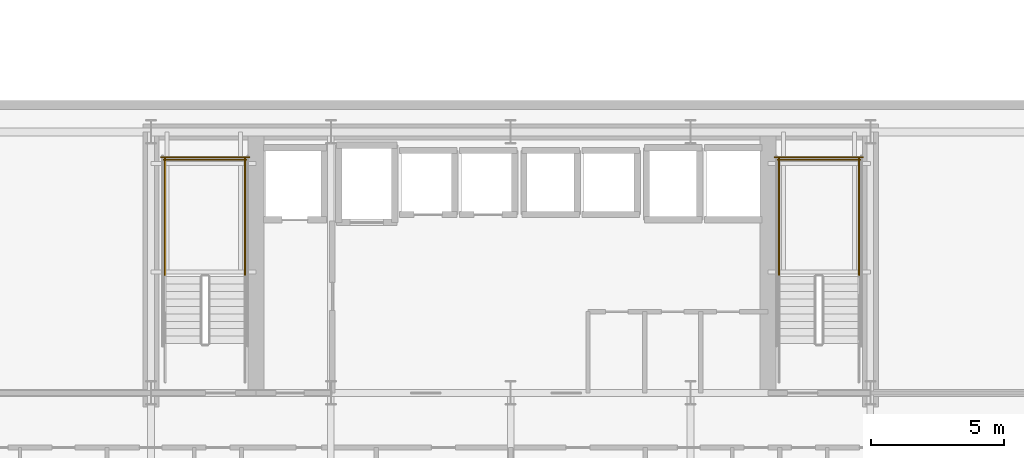
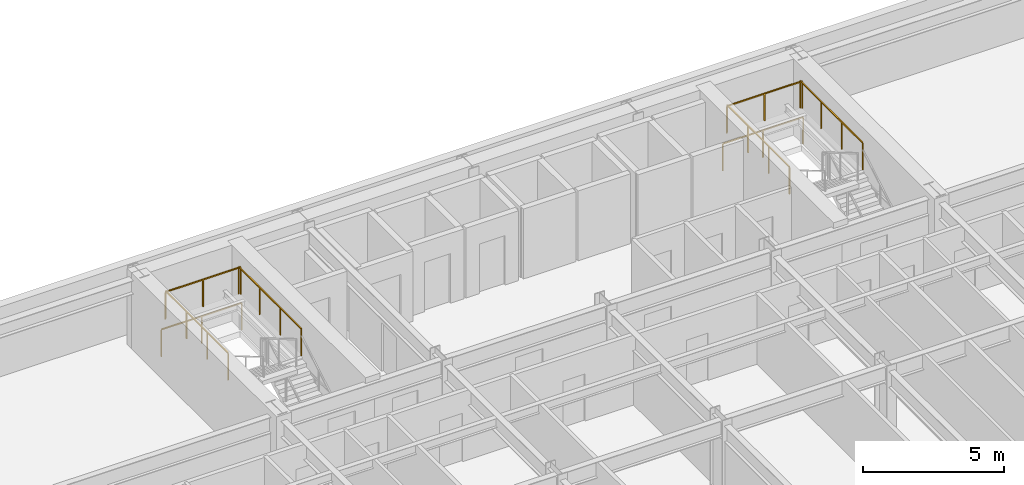
# One storey, part 14 of 17: 8 railings.
"""IFC4 building model written with IfcOpenShell, lengths in metres."""

from ifc_helpers import new_model, si_unit, direction, frame, origin, origin_2d, place, context, subcontext, project, spatial, rectangle, extrude, material, type_object, element, save


model = new_model("IFC4")

# Units and contexts
model_context = context("Model", 3, precision=1e-05, world=origin(), true_north=direction((0.0, 1.0)))
body_context = subcontext(model_context, "Body", "Model", "MODEL_VIEW")
ifc_project = project(units=[si_unit("LENGTHUNIT", "METRE"), si_unit("AREAUNIT", "SQUARE_METRE"), si_unit("VOLUMEUNIT", "CUBIC_METRE"), si_unit("PLANEANGLEUNIT", "RADIAN"), si_unit("MASSUNIT", "GRAM", prefix="KILO")], contexts=[model_context])

# Site, building, storey
site_placement = place(None, origin())
site = spatial("IfcSite", under=ifc_project, at=site_placement, CompositionType="ELEMENT")
building_placement = place(site_placement, origin())
building = spatial("IfcBuilding", under=site, at=building_placement, Name="Haevon Station Towers", CompositionType="ELEMENT")
storey_placement = place(building_placement, frame((0.0, 0.0, 33.89990234375)))
storey = spatial("IfcBuildingStorey", under=building, at=storey_placement, Name="L07", CompositionType="ELEMENT", Elevation=33.89990234375)

# Railings
ifc_material = material(Name="Steel S355", Category="steel")
railing_type = type_object("IfcRailingType", Name="GRD-STR1200", PredefinedType="GUARDRAIL", material=ifc_material)
for number, where, name in (
    (1, (27.530029296875, 42.570068359375, 1.650146484375), "L07 ST1 Stair Guard 3"),
    (2, (24.530029296875, 42.570068359375, 1.650146484375), "L07 ST1 Stair Guard 4"),
):
    element("IfcRailing", number, at=place(storey_placement, frame(where)), inside=storey, type_object=railing_type, Name=name, PredefinedType="GUARDRAIL", context=body_context, shape_type="SweptSolid", body=[
        extrude(rectangle(XDim=0.048095703125, YDim=0.048095703125, at=origin_2d()), frame((0.0, 0.0, 1.17578125), z_axis=(0.0, 1.0, 0.0), x_axis=(-1.0, 0.0, 0.0)), (0.0, 0.0, 1.0), 4.429931640625),
        extrude(rectangle(XDim=0.0419921875, YDim=0.0419921875, at=origin_2d()), origin(), (0.0, 0.0, 1.0), 1.15185546875),
        extrude(rectangle(XDim=0.0419921875, YDim=0.0419921875, at=origin_2d()), frame((0.0, 1.4765625, 0.0)), (0.0, 0.0, 1.0), 1.15185546875),
        extrude(rectangle(XDim=0.0419921875, YDim=0.0419921875, at=origin_2d()), frame((0.0, 2.953369140625, 0.0)), (0.0, 0.0, 1.0), 1.15185546875),
        extrude(rectangle(XDim=0.0419921875, YDim=0.0419921875, at=origin_2d()), frame((0.0, 4.429931640625, 0.0)), (0.0, 0.0, 1.0), 1.15185546875),
    ])
railing_1_placement = place(storey_placement, frame((27.580078125, 46.949951171875, 1.650146484375)))
element("IfcRailing", 3, at=railing_1_placement, inside=storey, type_object=railing_type, Name="L07 ST1 Stair Guard 5", PredefinedType="GUARDRAIL", context=body_context, shape_type="SweptSolid", body=[
    extrude(rectangle(XDim=0.048095703125, YDim=0.048095703125, at=origin_2d()), frame((0.0, 0.0, 1.17578125), z_axis=(-1.0, 0.0, 0.0), x_axis=(0.0, -1.0, 0.0)), (0.0, 0.0, 1.0), 3.10009765625),
    extrude(rectangle(XDim=0.0419921875, YDim=0.0419921875, at=origin_2d()), origin(), (0.0, 0.0, 1.0), 1.15185546875),
    extrude(rectangle(XDim=0.0419921875, YDim=0.0419921875, at=origin_2d()), frame((-1.550048828125, 0.0, 0.0)), (0.0, 0.0, 1.0), 1.15185546875),
    extrude(rectangle(XDim=0.0419921875, YDim=0.0419921875, at=origin_2d()), frame((-3.10009765625, 0.0, 0.0)), (0.0, 0.0, 1.0), 1.15185546875),
])
railing_2_placement = place(storey_placement, frame((27.679931640625, 47.050048828125, 0.0)))
element("IfcRailing", 4, at=railing_2_placement, inside=storey, type_object=railing_type, Name="L07 ST1 Stair Guard 12", PredefinedType="GUARDRAIL", context=body_context, shape_type="SweptSolid", body=[
    extrude(rectangle(XDim=0.048095703125, YDim=0.048095703125, at=origin_2d()), frame((0.0, 0.0, 1.17578125), z_axis=(-1.0, 0.0, 0.0), x_axis=(0.0, -1.0, 0.0)), (0.0, 0.0, 1.0), 3.300048828125),
    extrude(rectangle(XDim=0.0419921875, YDim=0.0419921875, at=origin_2d()), origin(), (0.0, 0.0, 1.0), 1.15185546875),
    extrude(rectangle(XDim=0.0419921875, YDim=0.0419921875, at=origin_2d()), frame((-1.64990234375, 0.0, 0.0)), (0.0, 0.0, 1.0), 1.15185546875),
    extrude(rectangle(XDim=0.0419921875, YDim=0.0419921875, at=origin_2d()), frame((-3.300048828125, 0.0, 0.0)), (0.0, 0.0, 1.0), 1.15185546875),
])
for number, where, name in (
    (5, (50.570068359375, 42.570068359375, 1.650146484375), "L07 ST2 Stair Guard 3"),
    (6, (47.570068359375, 42.570068359375, 1.650146484375), "L07 ST2 Stair Guard 4"),
):
    element("IfcRailing", number, at=place(storey_placement, frame(where)), inside=storey, type_object=railing_type, Name=name, PredefinedType="GUARDRAIL", context=body_context, shape_type="SweptSolid", body=[
        extrude(rectangle(XDim=0.048095703125, YDim=0.048095703125, at=origin_2d()), frame((0.0, 0.0, 1.17578125), z_axis=(0.0, 1.0, 0.0), x_axis=(-1.0, 0.0, 0.0)), (0.0, 0.0, 1.0), 4.429931640625),
        extrude(rectangle(XDim=0.0419921875, YDim=0.0419921875, at=origin_2d()), origin(), (0.0, 0.0, 1.0), 1.15185546875),
        extrude(rectangle(XDim=0.0419921875, YDim=0.0419921875, at=origin_2d()), frame((0.0, 1.4765625, 0.0)), (0.0, 0.0, 1.0), 1.15185546875),
        extrude(rectangle(XDim=0.0419921875, YDim=0.0419921875, at=origin_2d()), frame((0.0, 2.953369140625, 0.0)), (0.0, 0.0, 1.0), 1.15185546875),
        extrude(rectangle(XDim=0.0419921875, YDim=0.0419921875, at=origin_2d()), frame((0.0, 4.429931640625, 0.0)), (0.0, 0.0, 1.0), 1.15185546875),
    ])
railing_3_placement = place(storey_placement, frame((50.6201171875, 46.949951171875, 1.650146484375)))
element("IfcRailing", 7, at=railing_3_placement, inside=storey, type_object=railing_type, Name="L07 ST2 Stair Guard 5", PredefinedType="GUARDRAIL", context=body_context, shape_type="SweptSolid", body=[
    extrude(rectangle(XDim=0.048095703125, YDim=0.048095703125, at=origin_2d()), frame((0.0, 0.0, 1.17578125), z_axis=(-1.0, 0.0, 0.0), x_axis=(0.0, -1.0, 0.0)), (0.0, 0.0, 1.0), 3.10009765625),
    extrude(rectangle(XDim=0.0419921875, YDim=0.0419921875, at=origin_2d()), origin(), (0.0, 0.0, 1.0), 1.15185546875),
    extrude(rectangle(XDim=0.0419921875, YDim=0.0419921875, at=origin_2d()), frame((-1.550048828125, 0.0, 0.0)), (0.0, 0.0, 1.0), 1.15185546875),
    extrude(rectangle(XDim=0.0419921875, YDim=0.0419921875, at=origin_2d()), frame((-3.10009765625, 0.0, 0.0)), (0.0, 0.0, 1.0), 1.15185546875),
])
railing_4_placement = place(storey_placement, frame((50.719970703125, 47.050048828125, 0.0)))
element("IfcRailing", 8, at=railing_4_placement, inside=storey, type_object=railing_type, Name="L07 ST2 Stair Guard 12", PredefinedType="GUARDRAIL", context=body_context, shape_type="SweptSolid", body=[
    extrude(rectangle(XDim=0.048095703125, YDim=0.048095703125, at=origin_2d()), frame((0.0, 0.0, 1.17578125), z_axis=(-1.0, 0.0, 0.0), x_axis=(0.0, -1.0, 0.0)), (0.0, 0.0, 1.0), 3.300048828125),
    extrude(rectangle(XDim=0.0419921875, YDim=0.0419921875, at=origin_2d()), origin(), (0.0, 0.0, 1.0), 1.15185546875),
    extrude(rectangle(XDim=0.0419921875, YDim=0.0419921875, at=origin_2d()), frame((-1.64990234375, 0.0, 0.0)), (0.0, 0.0, 1.0), 1.15185546875),
    extrude(rectangle(XDim=0.0419921875, YDim=0.0419921875, at=origin_2d()), frame((-3.300048828125, 0.0, 0.0)), (0.0, 0.0, 1.0), 1.15185546875),
])

save(model, "model.ifc")
